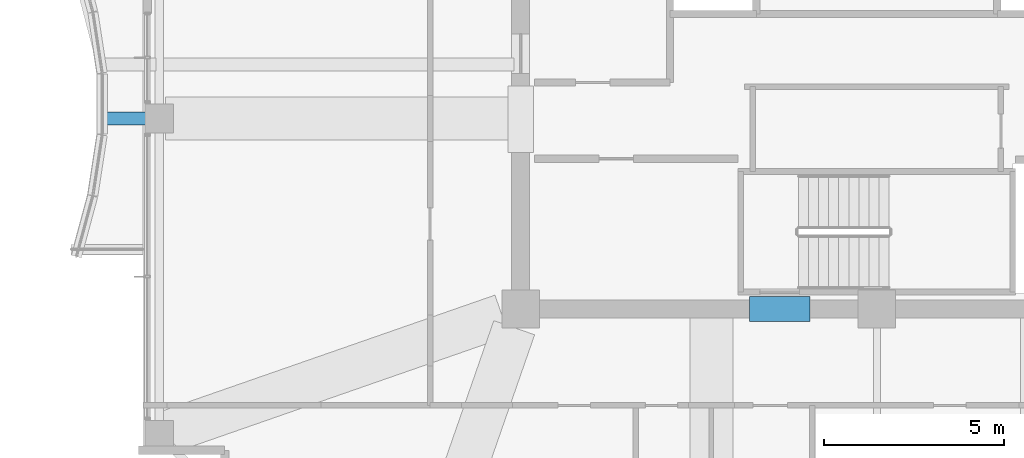
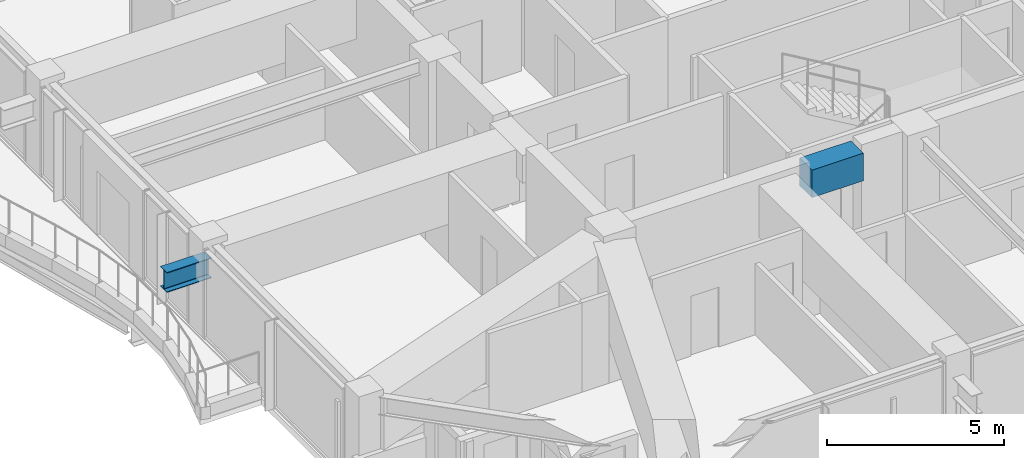
# One storey, part 6 of 35: 2 beams.
"""IFC4 building model written with IfcOpenShell, lengths in metres."""

from ifc_helpers import new_model, si_unit, direction, frame, origin, origin_2d, place, context, subcontext, project, spatial, rectangle, i_section, extrude, material, material_profile, profile_set, type_object, element, save


model = new_model("IFC4")

# Units and contexts
model_context = context("Model", 3, precision=1e-05, world=origin(), true_north=direction((0.0, 1.0)))
body_context = subcontext(model_context, "Body", "Model", "MODEL_VIEW")
ifc_project = project(units=[si_unit("LENGTHUNIT", "METRE"), si_unit("AREAUNIT", "SQUARE_METRE"), si_unit("VOLUMEUNIT", "CUBIC_METRE"), si_unit("PLANEANGLEUNIT", "RADIAN"), si_unit("MASSUNIT", "GRAM", prefix="KILO")], contexts=[model_context])

# Site, building, storey
site_placement = place(None, origin())
site = spatial("IfcSite", under=ifc_project, at=site_placement, CompositionType="ELEMENT")
building_placement = place(site_placement, origin())
building = spatial("IfcBuilding", under=site, at=building_placement, Name="Kolvaren Belvedere", CompositionType="ELEMENT")
storey_placement = place(building_placement, frame((0.0, 0.0, 203.10009765625)))
storey = spatial("IfcBuildingStorey", under=building, at=storey_placement, Name="L59", CompositionType="ELEMENT", Elevation=203.10009765625)

# Beams
ifc_material_1 = material(Name="Structural steel ASTM A992 Grade 50", Category="steel")
ifc_material_profile_1 = material_profile(ifc_material_1, i_section(OverallWidth=0.35498046875, OverallDepth=0.696044921875, WebThickness=0.015380859375, FlangeThickness=0.02490234375, FilletRadius=0.02197265625, at=origin_2d()), Name="W27X146")
ifc_profile_set_1 = profile_set([ifc_material_profile_1], Name="Structural steel ASTM A992 Grade 50")
beam_type_1 = type_object("IfcBeamType", Name="BM-CANT-BAL", PredefinedType="BEAM", material=ifc_profile_set_1)
beam_1_placement = place(storey_placement, frame((-19.949951171875, -4.60009765625, 2.141845703125), z_axis=(-1.0, 0.0, 0.0), x_axis=(0.0, -1.0, 0.0)))
element("IfcBeam", 1, at=beam_1_placement, inside=storey, type_object=beam_type_1, Name="L59 West Picture-Frame Column Corbel M", PredefinedType="BEAM", context=body_context, shape_type="SweptSolid", body=[
    extrude(i_section(OverallWidth=0.35498046875, OverallDepth=0.696044921875, WebThickness=0.015380859375, FlangeThickness=0.02490234375, FilletRadius=0.02197265625, at=origin_2d()), origin(), (0.0, 0.0, 1.0), 1.449951171875),
])
ifc_material_2 = material(Name="Concrete C60/75", Category="concrete")
ifc_material_profile_2 = material_profile(ifc_material_2, rectangle(XDim=0.699951171875, YDim=0.949951171875, at=origin_2d()), Name="RC 700X950")
ifc_profile_set_2 = profile_set([ifc_material_profile_2], Name="Concrete C60/75")
beam_type_2 = type_object("IfcBeamType", Name="BM-LINT-950", PredefinedType="LINTEL", material=ifc_profile_set_2)
beam_2_placement = place(storey_placement, frame((-3.5400390625, -9.89990234375, 2.60498046875), z_axis=(1.0, 0.0, 0.0), x_axis=(0.0, 1.0, 0.0)))
element("IfcBeam", 2, at=beam_2_placement, inside=storey, type_object=beam_type_2, Name="L59 South Core Coupling Lintel", PredefinedType="LINTEL", context=body_context, shape_type="SweptSolid", body=[
    extrude(rectangle(XDim=0.699951171875, YDim=0.949951171875, at=origin_2d()), origin(), (0.0, 0.0, 1.0), 1.679931640625),
])

save(model, "model.ifc")
